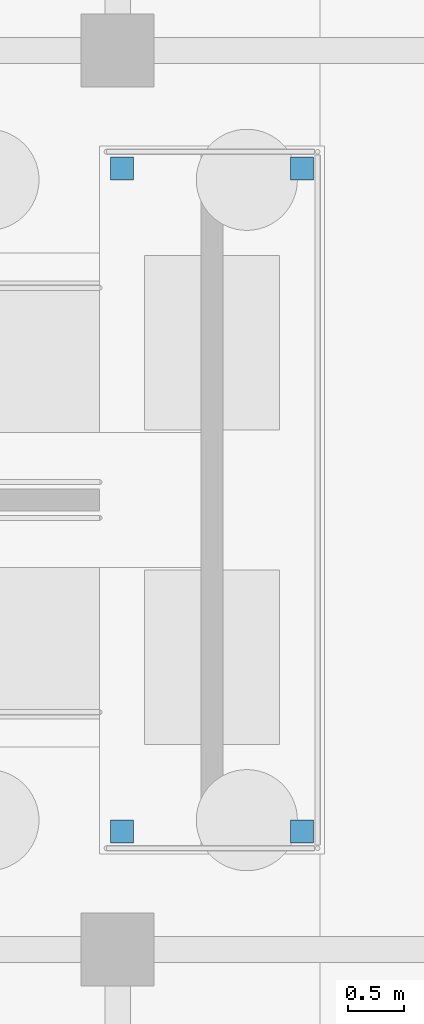
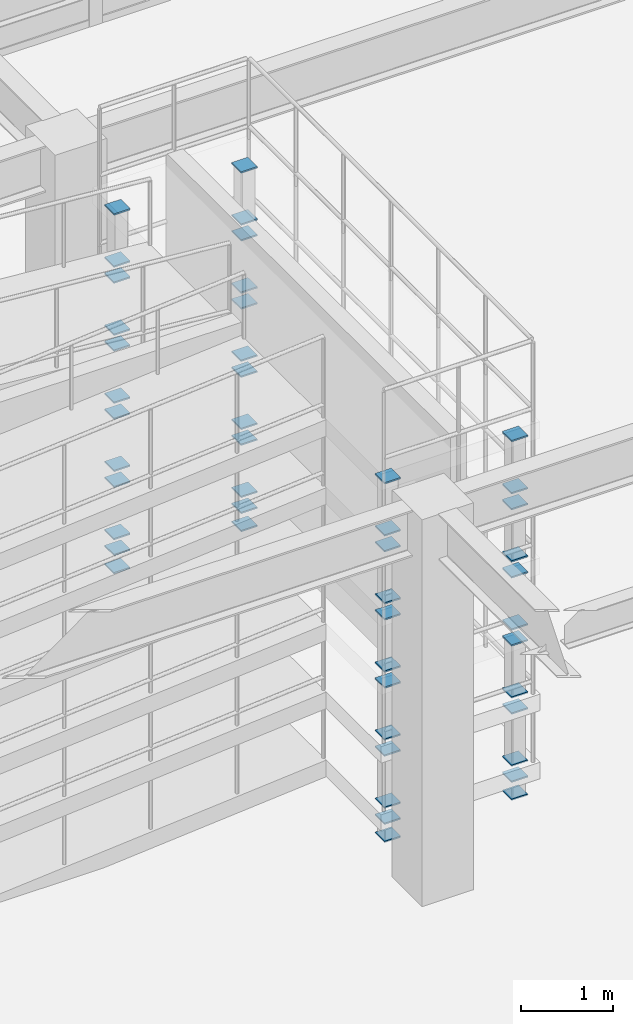
# One storey, part 91 of 138: 48 discrete accessories.
"""IFC4 building model written with IfcOpenShell, lengths in metres."""

from ifc_helpers import new_model, si_unit, direction, frame, origin, origin_2d, place, context, subcontext, project, spatial, rectangle, extrude, material, layer, layer_set, type_object, element, save


model = new_model("IFC4")

# Units and contexts
model_context = context("Model", 3, precision=1e-05, world=origin(), true_north=direction((0.0, 1.0)))
body_context = subcontext(model_context, "Body", "Model", "MODEL_VIEW")
ifc_project = project(units=[si_unit("LENGTHUNIT", "METRE"), si_unit("AREAUNIT", "SQUARE_METRE"), si_unit("VOLUMEUNIT", "CUBIC_METRE"), si_unit("PLANEANGLEUNIT", "RADIAN"), si_unit("MASSUNIT", "GRAM", prefix="KILO")], contexts=[model_context])

# Site, building, storey
site_placement = place(None, origin())
site = spatial("IfcSite", under=ifc_project, at=site_placement, CompositionType="ELEMENT")
building_placement = place(site_placement, origin())
building = spatial("IfcBuilding", under=site, at=building_placement, Name="Kranzveld Transit Interchange", CompositionType="ELEMENT")
storey_placement = place(building_placement, origin())
storey = spatial("IfcBuildingStorey", under=building, at=storey_placement, Name="L00", CompositionType="ELEMENT", Elevation=0.0)

# Discrete accessories
ifc_material = material(Name="Steel S355JR", Category="steel")
ifc_layer = layer(ifc_material, 0.02001953125)
ifc_layer_set = layer_set([ifc_layer], Name="Steel S355JR")
discrete_accessory_type = type_object("IfcDiscreteAccessoryType", Name="Hollow Section End Cap Bracket 20 S355JR", PredefinedType="BRACKET", material=ifc_layer_set)
for number, where, z_axis, x_axis, name in (
    (1, (25.239990234375, 25.050048828125, 0.006103515625), (0.0, 0.0, -1.0), (1.0, 0.0, 0.0), "Hollow Section End Cap C-SHS180-1"),
    (2, (25.239990234375, 25.050048828125, 0.227294921875), (0.0, 0.0, 1.0), (1.0, 0.0, 0.0), "Hollow Section End Cap C-SHS180-2"),
    (3, (25.239990234375, 30.949951171875, 0.006103515625), (0.0, 0.0, -1.0), (1.0, 0.0, 0.0), "Hollow Section End Cap C-SHS180-1"),
    (4, (25.239990234375, 30.949951171875, 0.227294921875), (0.0, 0.0, 1.0), (1.0, 0.0, 0.0), "Hollow Section End Cap C-SHS180-2"),
    (5, (26.840087890625, 25.050048828125, 0.006103515625), (0.0, 0.0, -1.0), (1.0, 0.0, 0.0), "Hollow Section End Cap C-SHS180-1"),
    (6, (26.840087890625, 25.050048828125, 0.227294921875), (0.0, 0.0, 1.0), (1.0, 0.0, 0.0), "Hollow Section End Cap C-SHS180-2"),
    (7, (26.840087890625, 30.949951171875, 0.006103515625), (0.0, 0.0, -1.0), (1.0, 0.0, 0.0), "Hollow Section End Cap C-SHS180-1"),
    (8, (26.840087890625, 30.949951171875, 0.227294921875), (0.0, 0.0, 1.0), (1.0, 0.0, 0.0), "Hollow Section End Cap C-SHS180-2"),
):
    element("IfcDiscreteAccessory", number, at=place(storey_placement, frame(where, z_axis=z_axis, x_axis=x_axis)), inside=storey, type_object=discrete_accessory_type, Name=name, PredefinedType="BRACKET", context=body_context, shape_type="SweptSolid", body=[
        extrude(rectangle(XDim=0.2041015625, YDim=0.2041015625, at=origin_2d()), origin(), (0.0, 0.0, 1.0), 0.02001953125),
    ])
discrete_accessory_1_placement = place(storey_placement, frame((25.239990234375, 25.050048828125, 0.459228515625), z_axis=(0.0, 0.0, -1.0), x_axis=(1.0, 0.0, 0.0)))
element("IfcDiscreteAccessory", 9, at=discrete_accessory_1_placement, inside=storey, type_object=discrete_accessory_type, Name="Hollow Section End Cap C-SHS180-1", PredefinedType="BRACKET", context=body_context, shape_type="SweptSolid", body=[
    extrude(rectangle(XDim=0.2041015625, YDim=0.2041015625, at=origin_2d()), origin(), (0.0, 0.0, 1.0), 0.019775390625),
])
discrete_accessory_2_placement = place(storey_placement, frame((25.239990234375, 25.050048828125, 1.134033203125), z_axis=(0.0, 0.0, 1.0), x_axis=(1.0, 0.0, 0.0)))
element("IfcDiscreteAccessory", 10, at=discrete_accessory_2_placement, inside=storey, type_object=discrete_accessory_type, Name="Hollow Section End Cap C-SHS180-2", PredefinedType="BRACKET", context=body_context, shape_type="SweptSolid", body=[
    extrude(rectangle(XDim=0.2041015625, YDim=0.2041015625, at=origin_2d()), origin(), (0.0, 0.0, 1.0), 0.02001953125),
])
discrete_accessory_3_placement = place(storey_placement, frame((25.239990234375, 30.949951171875, 0.459228515625), z_axis=(0.0, 0.0, -1.0), x_axis=(1.0, 0.0, 0.0)))
element("IfcDiscreteAccessory", 11, at=discrete_accessory_3_placement, inside=storey, type_object=discrete_accessory_type, Name="Hollow Section End Cap C-SHS180-1", PredefinedType="BRACKET", context=body_context, shape_type="SweptSolid", body=[
    extrude(rectangle(XDim=0.2041015625, YDim=0.2041015625, at=origin_2d()), origin(), (0.0, 0.0, 1.0), 0.019775390625),
])
discrete_accessory_4_placement = place(storey_placement, frame((25.239990234375, 30.949951171875, 1.134033203125), z_axis=(0.0, 0.0, 1.0), x_axis=(1.0, 0.0, 0.0)))
element("IfcDiscreteAccessory", 12, at=discrete_accessory_4_placement, inside=storey, type_object=discrete_accessory_type, Name="Hollow Section End Cap C-SHS180-2", PredefinedType="BRACKET", context=body_context, shape_type="SweptSolid", body=[
    extrude(rectangle(XDim=0.2041015625, YDim=0.2041015625, at=origin_2d()), origin(), (0.0, 0.0, 1.0), 0.02001953125),
])
discrete_accessory_5_placement = place(storey_placement, frame((26.840087890625, 25.050048828125, 0.459228515625), z_axis=(0.0, 0.0, -1.0), x_axis=(1.0, 0.0, 0.0)))
element("IfcDiscreteAccessory", 13, at=discrete_accessory_5_placement, inside=storey, type_object=discrete_accessory_type, Name="Hollow Section End Cap C-SHS180-1", PredefinedType="BRACKET", context=body_context, shape_type="SweptSolid", body=[
    extrude(rectangle(XDim=0.2041015625, YDim=0.2041015625, at=origin_2d()), origin(), (0.0, 0.0, 1.0), 0.019775390625),
])
discrete_accessory_6_placement = place(storey_placement, frame((26.840087890625, 25.050048828125, 1.134033203125), z_axis=(0.0, 0.0, 1.0), x_axis=(1.0, 0.0, 0.0)))
element("IfcDiscreteAccessory", 14, at=discrete_accessory_6_placement, inside=storey, type_object=discrete_accessory_type, Name="Hollow Section End Cap C-SHS180-2", PredefinedType="BRACKET", context=body_context, shape_type="SweptSolid", body=[
    extrude(rectangle(XDim=0.2041015625, YDim=0.2041015625, at=origin_2d()), origin(), (0.0, 0.0, 1.0), 0.02001953125),
])
discrete_accessory_7_placement = place(storey_placement, frame((26.840087890625, 30.949951171875, 0.459228515625), z_axis=(0.0, 0.0, -1.0), x_axis=(1.0, 0.0, 0.0)))
element("IfcDiscreteAccessory", 15, at=discrete_accessory_7_placement, inside=storey, type_object=discrete_accessory_type, Name="Hollow Section End Cap C-SHS180-1", PredefinedType="BRACKET", context=body_context, shape_type="SweptSolid", body=[
    extrude(rectangle(XDim=0.2041015625, YDim=0.2041015625, at=origin_2d()), origin(), (0.0, 0.0, 1.0), 0.019775390625),
])
for number, where, z_axis, x_axis, name in (
    (16, (26.840087890625, 30.949951171875, 1.134033203125), (0.0, 0.0, 1.0), (1.0, 0.0, 0.0), "Hollow Section End Cap C-SHS180-2"),
    (17, (25.239990234375, 25.050048828125, 1.365966796875), (0.0, 0.0, -1.0), (1.0, 0.0, 0.0), "Hollow Section End Cap C-SHS180-1"),
):
    element("IfcDiscreteAccessory", number, at=place(storey_placement, frame(where, z_axis=z_axis, x_axis=x_axis)), inside=storey, type_object=discrete_accessory_type, Name=name, PredefinedType="BRACKET", context=body_context, shape_type="SweptSolid", body=[
        extrude(rectangle(XDim=0.2041015625, YDim=0.2041015625, at=origin_2d()), origin(), (0.0, 0.0, 1.0), 0.02001953125),
    ])
discrete_accessory_8_placement = place(storey_placement, frame((25.239990234375, 25.050048828125, 2.040771484375), z_axis=(0.0, 0.0, 1.0), x_axis=(1.0, 0.0, 0.0)))
element("IfcDiscreteAccessory", 18, at=discrete_accessory_8_placement, inside=storey, type_object=discrete_accessory_type, Name="Hollow Section End Cap C-SHS180-2", PredefinedType="BRACKET", context=body_context, shape_type="SweptSolid", body=[
    extrude(rectangle(XDim=0.2041015625, YDim=0.2041015625, at=origin_2d()), origin(), (0.0, 0.0, 1.0), 0.019775390625),
])
discrete_accessory_9_placement = place(storey_placement, frame((25.239990234375, 30.949951171875, 1.365966796875), z_axis=(0.0, 0.0, -1.0), x_axis=(1.0, 0.0, 0.0)))
element("IfcDiscreteAccessory", 19, at=discrete_accessory_9_placement, inside=storey, type_object=discrete_accessory_type, Name="Hollow Section End Cap C-SHS180-1", PredefinedType="BRACKET", context=body_context, shape_type="SweptSolid", body=[
    extrude(rectangle(XDim=0.2041015625, YDim=0.2041015625, at=origin_2d()), origin(), (0.0, 0.0, 1.0), 0.02001953125),
])
discrete_accessory_10_placement = place(storey_placement, frame((25.239990234375, 30.949951171875, 2.040771484375), z_axis=(0.0, 0.0, 1.0), x_axis=(1.0, 0.0, 0.0)))
element("IfcDiscreteAccessory", 20, at=discrete_accessory_10_placement, inside=storey, type_object=discrete_accessory_type, Name="Hollow Section End Cap C-SHS180-2", PredefinedType="BRACKET", context=body_context, shape_type="SweptSolid", body=[
    extrude(rectangle(XDim=0.2041015625, YDim=0.2041015625, at=origin_2d()), origin(), (0.0, 0.0, 1.0), 0.019775390625),
])
discrete_accessory_11_placement = place(storey_placement, frame((26.840087890625, 25.050048828125, 1.365966796875), z_axis=(0.0, 0.0, -1.0), x_axis=(1.0, 0.0, 0.0)))
element("IfcDiscreteAccessory", 21, at=discrete_accessory_11_placement, inside=storey, type_object=discrete_accessory_type, Name="Hollow Section End Cap C-SHS180-1", PredefinedType="BRACKET", context=body_context, shape_type="SweptSolid", body=[
    extrude(rectangle(XDim=0.2041015625, YDim=0.2041015625, at=origin_2d()), origin(), (0.0, 0.0, 1.0), 0.02001953125),
])
discrete_accessory_12_placement = place(storey_placement, frame((26.840087890625, 25.050048828125, 2.040771484375), z_axis=(0.0, 0.0, 1.0), x_axis=(1.0, 0.0, 0.0)))
element("IfcDiscreteAccessory", 22, at=discrete_accessory_12_placement, inside=storey, type_object=discrete_accessory_type, Name="Hollow Section End Cap C-SHS180-2", PredefinedType="BRACKET", context=body_context, shape_type="SweptSolid", body=[
    extrude(rectangle(XDim=0.2041015625, YDim=0.2041015625, at=origin_2d()), origin(), (0.0, 0.0, 1.0), 0.019775390625),
])
discrete_accessory_13_placement = place(storey_placement, frame((26.840087890625, 30.949951171875, 1.365966796875), z_axis=(0.0, 0.0, -1.0), x_axis=(1.0, 0.0, 0.0)))
element("IfcDiscreteAccessory", 23, at=discrete_accessory_13_placement, inside=storey, type_object=discrete_accessory_type, Name="Hollow Section End Cap C-SHS180-1", PredefinedType="BRACKET", context=body_context, shape_type="SweptSolid", body=[
    extrude(rectangle(XDim=0.2041015625, YDim=0.2041015625, at=origin_2d()), origin(), (0.0, 0.0, 1.0), 0.02001953125),
])
discrete_accessory_14_placement = place(storey_placement, frame((26.840087890625, 30.949951171875, 2.040771484375), z_axis=(0.0, 0.0, 1.0), x_axis=(1.0, 0.0, 0.0)))
element("IfcDiscreteAccessory", 24, at=discrete_accessory_14_placement, inside=storey, type_object=discrete_accessory_type, Name="Hollow Section End Cap C-SHS180-2", PredefinedType="BRACKET", context=body_context, shape_type="SweptSolid", body=[
    extrude(rectangle(XDim=0.2041015625, YDim=0.2041015625, at=origin_2d()), origin(), (0.0, 0.0, 1.0), 0.019775390625),
])
for number, where, z_axis, x_axis, name in (
    (25, (25.239990234375, 25.050048828125, 2.272705078125), (0.0, 0.0, -1.0), (1.0, 0.0, 0.0), "Hollow Section End Cap C-SHS180-1"),
    (26, (25.239990234375, 25.050048828125, 2.947265625), (0.0, 0.0, 1.0), (1.0, 0.0, 0.0), "Hollow Section End Cap C-SHS180-2"),
    (27, (25.239990234375, 30.949951171875, 2.272705078125), (0.0, 0.0, -1.0), (1.0, 0.0, 0.0), "Hollow Section End Cap C-SHS180-1"),
    (28, (25.239990234375, 30.949951171875, 2.947265625), (0.0, 0.0, 1.0), (1.0, 0.0, 0.0), "Hollow Section End Cap C-SHS180-2"),
    (29, (26.840087890625, 25.050048828125, 2.272705078125), (0.0, 0.0, -1.0), (1.0, 0.0, 0.0), "Hollow Section End Cap C-SHS180-1"),
    (30, (26.840087890625, 25.050048828125, 2.947265625), (0.0, 0.0, 1.0), (1.0, 0.0, 0.0), "Hollow Section End Cap C-SHS180-2"),
    (31, (26.840087890625, 30.949951171875, 2.272705078125), (0.0, 0.0, -1.0), (1.0, 0.0, 0.0), "Hollow Section End Cap C-SHS180-1"),
    (32, (26.840087890625, 30.949951171875, 2.947265625), (0.0, 0.0, 1.0), (1.0, 0.0, 0.0), "Hollow Section End Cap C-SHS180-2"),
    (33, (25.239990234375, 25.050048828125, 3.179443359375), (0.0, 0.0, -1.0), (1.0, 0.0, 0.0), "Hollow Section End Cap C-SHS180-1"),
    (34, (25.239990234375, 25.050048828125, 3.85400390625), (0.0, 0.0, 1.0), (1.0, 0.0, 0.0), "Hollow Section End Cap C-SHS180-2"),
    (35, (25.239990234375, 30.949951171875, 3.179443359375), (0.0, 0.0, -1.0), (1.0, 0.0, 0.0), "Hollow Section End Cap C-SHS180-1"),
    (36, (25.239990234375, 30.949951171875, 3.85400390625), (0.0, 0.0, 1.0), (1.0, 0.0, 0.0), "Hollow Section End Cap C-SHS180-2"),
    (37, (26.840087890625, 25.050048828125, 3.179443359375), (0.0, 0.0, -1.0), (1.0, 0.0, 0.0), "Hollow Section End Cap C-SHS180-1"),
    (38, (26.840087890625, 25.050048828125, 3.85400390625), (0.0, 0.0, 1.0), (1.0, 0.0, 0.0), "Hollow Section End Cap C-SHS180-2"),
    (39, (26.840087890625, 30.949951171875, 3.179443359375), (0.0, 0.0, -1.0), (1.0, 0.0, 0.0), "Hollow Section End Cap C-SHS180-1"),
    (40, (26.840087890625, 30.949951171875, 3.85400390625), (0.0, 0.0, 1.0), (1.0, 0.0, 0.0), "Hollow Section End Cap C-SHS180-2"),
    (41, (25.239990234375, 25.050048828125, 4.0859375), (0.0, 0.0, -1.0), (1.0, 0.0, 0.0), "Hollow Section End Cap C-SHS180-1"),
    (42, (25.239990234375, 25.050048828125, 4.7607421875), (0.0, 0.0, 1.0), (1.0, 0.0, 0.0), "Hollow Section End Cap C-SHS180-2"),
    (43, (25.239990234375, 30.949951171875, 4.0859375), (0.0, 0.0, -1.0), (1.0, 0.0, 0.0), "Hollow Section End Cap C-SHS180-1"),
    (44, (25.239990234375, 30.949951171875, 4.7607421875), (0.0, 0.0, 1.0), (1.0, 0.0, 0.0), "Hollow Section End Cap C-SHS180-2"),
    (45, (26.840087890625, 25.050048828125, 4.0859375), (0.0, 0.0, -1.0), (1.0, 0.0, 0.0), "Hollow Section End Cap C-SHS180-1"),
    (46, (26.840087890625, 25.050048828125, 4.7607421875), (0.0, 0.0, 1.0), (1.0, 0.0, 0.0), "Hollow Section End Cap C-SHS180-2"),
    (47, (26.840087890625, 30.949951171875, 4.0859375), (0.0, 0.0, -1.0), (1.0, 0.0, 0.0), "Hollow Section End Cap C-SHS180-1"),
    (48, (26.840087890625, 30.949951171875, 4.7607421875), (0.0, 0.0, 1.0), (1.0, 0.0, 0.0), "Hollow Section End Cap C-SHS180-2"),
):
    element("IfcDiscreteAccessory", number, at=place(storey_placement, frame(where, z_axis=z_axis, x_axis=x_axis)), inside=storey, type_object=discrete_accessory_type, Name=name, PredefinedType="BRACKET", context=body_context, shape_type="SweptSolid", body=[
        extrude(rectangle(XDim=0.2041015625, YDim=0.2041015625, at=origin_2d()), origin(), (0.0, 0.0, 1.0), 0.02001953125),
    ])

save(model, "model.ifc")
